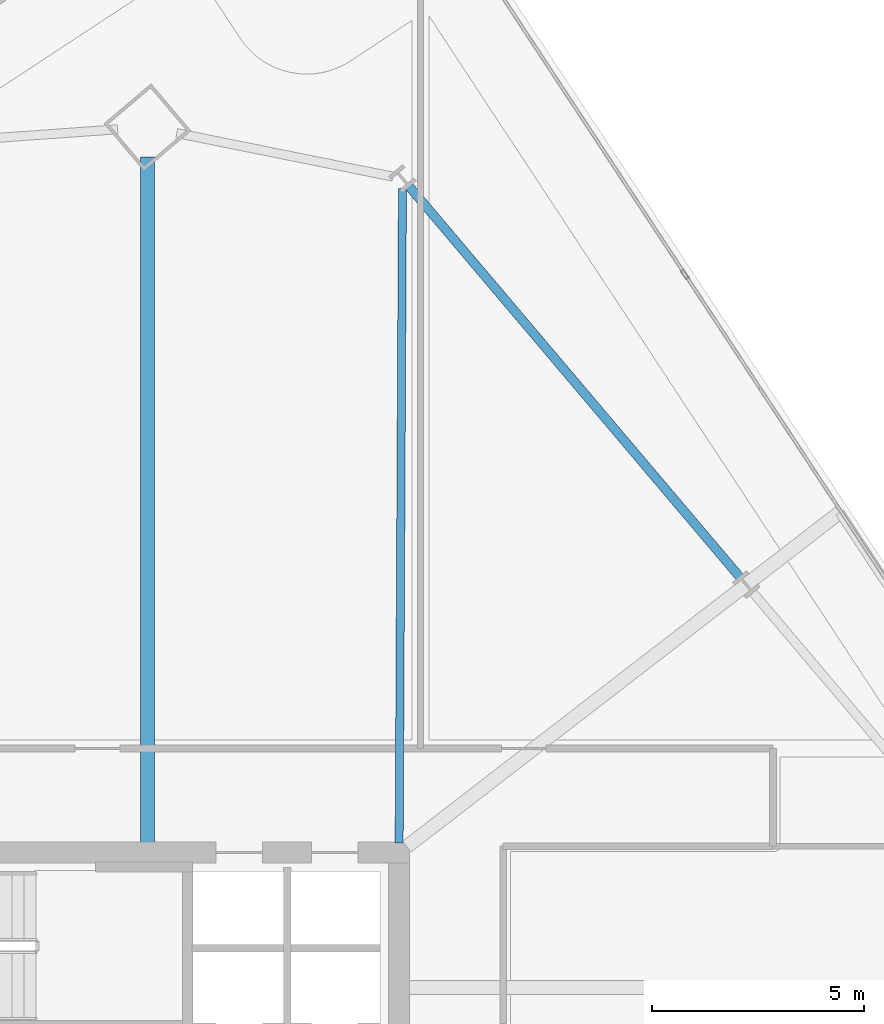
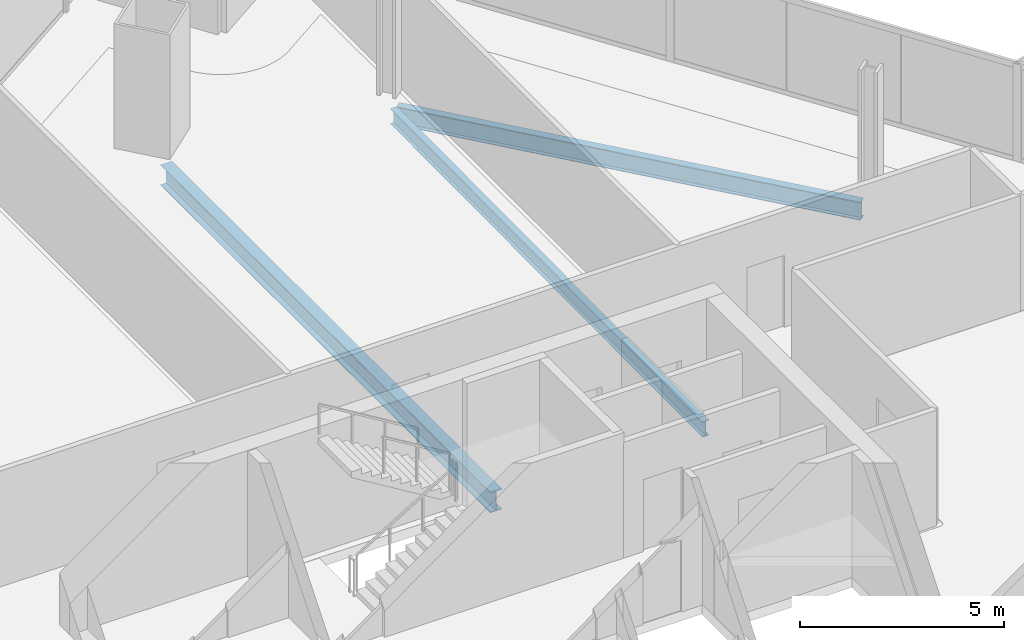
# One storey, part 18 of 29: 3 beams.
"""IFC4 building model written with IfcOpenShell, lengths in metres."""

from ifc_helpers import new_model, si_unit, direction, frame, origin, origin_2d, place, context, subcontext, project, spatial, i_section, extrude, material, material_profile, profile_set, type_object, element, save


model = new_model("IFC4")

# Units and contexts
model_context = context("Model", 3, precision=1e-05, world=origin(), true_north=direction((0.0, 1.0)))
body_context = subcontext(model_context, "Body", "Model", "MODEL_VIEW")
ifc_project = project(units=[si_unit("LENGTHUNIT", "METRE"), si_unit("AREAUNIT", "SQUARE_METRE"), si_unit("VOLUMEUNIT", "CUBIC_METRE"), si_unit("PLANEANGLEUNIT", "RADIAN"), si_unit("MASSUNIT", "GRAM", prefix="KILO")], contexts=[model_context])

# Site, building, storey
site_placement = place(None, origin())
site = spatial("IfcSite", under=ifc_project, at=site_placement, CompositionType="ELEMENT")
building_placement = place(site_placement, origin())
building = spatial("IfcBuilding", under=site, at=building_placement, Name="Haldenkirk Collegiate Tower", CompositionType="ELEMENT")
storey_placement = place(building_placement, frame((0.0, 0.0, 140.699951171875)))
storey = spatial("IfcBuildingStorey", under=building, at=storey_placement, Name="L34", CompositionType="ELEMENT", Elevation=140.699951171875)

# Beams
ifc_material = material(Name="Steel ASTM A992 Grade 50", Category="steel")
ifc_material_profile_1 = material_profile(ifc_material, i_section(OverallWidth=0.324951171875, OverallDepth=0.615966796875, WebThickness=0.013916015625, FlangeThickness=0.021484375, at=origin_2d()), Name="W24X117")
ifc_profile_set_1 = profile_set([ifc_material_profile_1], Name="Steel ASTM A992 Grade 50")
beam_type_1 = type_object("IfcBeamType", Name="BM-GIRDER-W24X117", PredefinedType="BEAM", material=ifc_profile_set_1)
beam_1_placement = place(storey_placement, frame((39.076904296875, 50.3701171875, -0.597900390625), z_axis=(0.0, -1.0, 0.0), x_axis=(1.0, 0.0, 0.0)))
element("IfcBeam", 1, at=beam_1_placement, inside=storey, type_object=beam_type_1, Name="L34 primary floor girder 03", PredefinedType="BEAM", context=body_context, shape_type="SweptSolid", body=[
    extrude(i_section(OverallWidth=0.324951171875, OverallDepth=0.615966796875, WebThickness=0.013916015625, FlangeThickness=0.021484375, at=origin_2d()), origin(), (0.0, 0.0, 1.0), 16.14013671875),
])
ifc_material_profile_2 = material_profile(ifc_material, i_section(OverallWidth=0.18994140625, OverallDepth=0.45703125, WebThickness=0.009033203125, FlangeThickness=0.014404296875, at=origin_2d()), Name="W18X50")
ifc_profile_set_2 = profile_set([ifc_material_profile_2], Name="Steel ASTM A992 Grade 50")
beam_type_2 = type_object("IfcBeamType", Name="BM-JOIST-W18X50", PredefinedType="JOIST", material=ifc_profile_set_2)
beam_2_placement = place(storey_placement, frame((45.07861328125, 49.63623046875, -0.5185546875), z_axis=(-0.005023389964, -0.999987382697, 0.0), x_axis=(0.999987382697, -0.005023389964, 0.0)))
element("IfcBeam", 2, at=beam_2_placement, inside=storey, type_object=beam_type_2, Name="L34 composite floor joist 10", PredefinedType="JOIST", context=body_context, shape_type="SweptSolid", body=[
    extrude(i_section(OverallWidth=0.18994140625, OverallDepth=0.45703125, WebThickness=0.009033203125, FlangeThickness=0.014404296875, at=origin_2d()), origin(), (0.0, 0.0, 1.0), 15.406494140625),
])
ifc_material_profile_3 = material_profile(ifc_material, i_section(OverallWidth=0.2119140625, OverallDepth=0.5439453125, WebThickness=0.01318359375, FlangeThickness=0.021240234375, at=origin_2d()), Name="W21X83")
ifc_profile_set_3 = profile_set([ifc_material_profile_3], Name="Steel ASTM A992 Grade 50")
beam_type_3 = type_object("IfcBeamType", Name="BM-SPANDREL-W21X83", PredefinedType="SPANDREL", material=ifc_profile_set_3)
beam_3_placement = place(storey_placement, frame((53.023193359375, 40.482177734375, -0.56201171875), z_axis=(-0.646126367676, 0.763230448157, 0.0), x_axis=(-0.763230448157, -0.646126367676, 0.0)))
element("IfcBeam", 3, at=beam_3_placement, inside=storey, type_object=beam_type_3, Name="L34 perimeter spandrel beam 07", PredefinedType="SPANDREL", context=body_context, shape_type="SweptSolid", body=[
    extrude(i_section(OverallWidth=0.2119140625, OverallDepth=0.5439453125, WebThickness=0.01318359375, FlangeThickness=0.021240234375, at=origin_2d()), origin(), (0.0, 0.0, 1.0), 12.06494140625),
])

save(model, "model.ifc")
